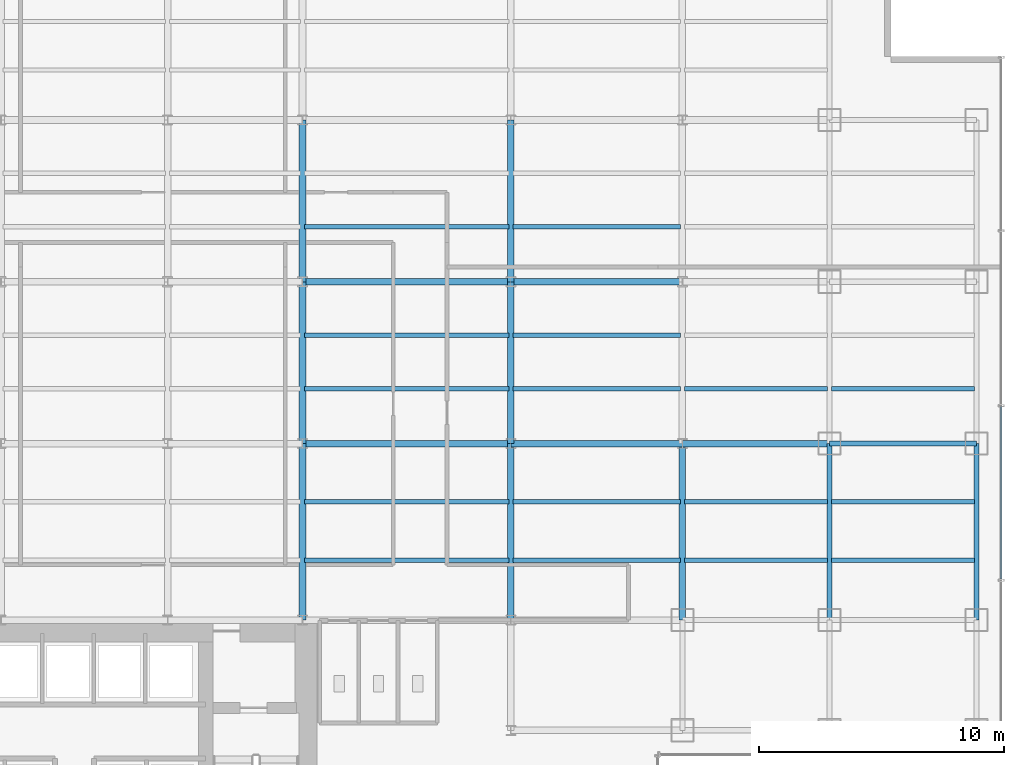
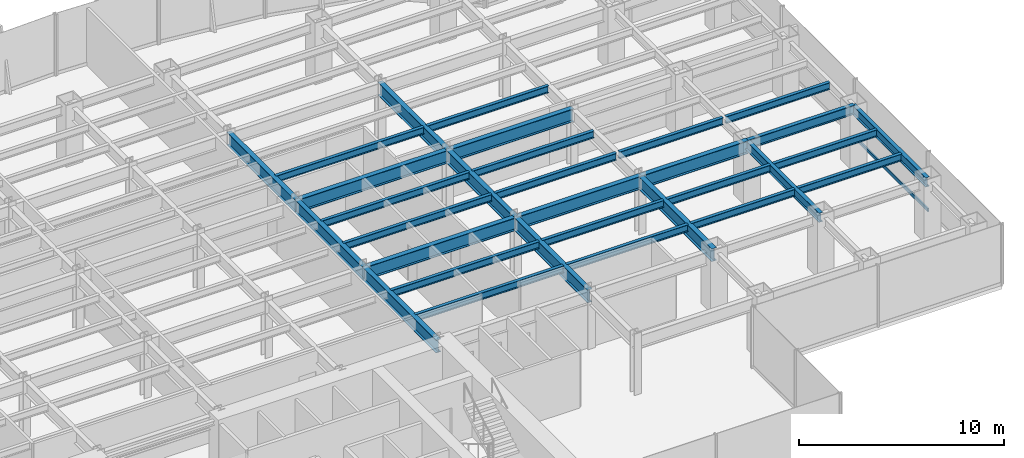
# One storey, part 8 of 22: 31 beams, 1 member, 1 element without a shape of its own.
"""IFC4 building model written with IfcOpenShell, lengths in metres."""

from ifc_helpers import new_model, si_unit, derived_unit, direction, frame, origin, origin_2d, place, context, subcontext, project, spatial, hollow_rectangle, i_section, extrude, source, transform, mapped, material, material_profile, profile_set, type_object, element, aggregate, save


model = new_model("IFC4")

# Units and contexts
model_context = context("Model", 3, precision=1e-05, world=origin(), true_north=direction((0.0, 1.0)))
body_context = subcontext(model_context, "Body", "Model", "MODEL_VIEW")
ifc_project = project(units=[si_unit("LENGTHUNIT", "METRE"), si_unit("AREAUNIT", "SQUARE_METRE"), si_unit("VOLUMEUNIT", "CUBIC_METRE"), si_unit("PLANEANGLEUNIT", "RADIAN"), si_unit("MASSUNIT", "GRAM", prefix="KILO"), derived_unit("THERMALTRANSMITTANCEUNIT", [(si_unit("POWERUNIT", "WATT"), 1), (si_unit("LENGTHUNIT", "METRE"), -2), (si_unit("THERMODYNAMICTEMPERATUREUNIT", "KELVIN"), -1)])], contexts=[model_context])

# Site, building, storey
site_placement = place(None, origin())
site = spatial("IfcSite", under=ifc_project, at=site_placement, CompositionType="ELEMENT")
building_placement = place(site_placement, origin())
building = spatial("IfcBuilding", under=site, at=building_placement, Name="Skarnbrae Concourse Arena and Tower", CompositionType="ELEMENT")
storey_placement = place(building_placement, frame((0.0, 0.0, 36.14990234375)))
storey = spatial("IfcBuildingStorey", under=building, at=storey_placement, Name="L07", CompositionType="ELEMENT", Elevation=36.14990234375)

# Beams
ifc_material_1 = material(Name="Steel CSA G40.21 350W", Category="steel")
ifc_material_profile_1 = material_profile(ifc_material_1, i_section(OverallWidth=0.26806640625, OverallDepth=0.77001953125, WebThickness=0.015625, FlangeThickness=0.025390625, at=origin_2d()), Name="W760X196")
ifc_profile_set_1 = profile_set([ifc_material_profile_1], Name="Steel CSA G40.21 350W")
beam_type_1 = type_object("IfcBeamType", Name="BM-GIRD-W760X196", PredefinedType="BEAM", material=ifc_profile_set_1)
shared_shape_1 = source(origin(), body_context, "Body", "SweptSolid", [
    extrude(i_section(OverallWidth=0.26806640625, OverallDepth=0.77001953125, WebThickness=0.015625, FlangeThickness=0.025390625, at=origin_2d()), origin(), (0.0, 0.0, 1.0), 7.0),
])
for number, where, z_axis, x_axis, name in (
    (1, (42.0, 21.199951171875, 3.01513671875), (1.0, 0.0, 0.0), (0.0, 1.0, 0.0), "L07 Primary E-W girder Y21.2-7"),
    (2, (42.0, 27.800048828125, 3.01513671875), (1.0, 0.0, 0.0), (0.0, 1.0, 0.0), "L07 Primary E-W girder Y27.8-7"),
):
    element("IfcBeam", number, at=place(storey_placement, frame(where, z_axis=z_axis, x_axis=x_axis)), inside=storey, type_object=beam_type_1, Name=name, PredefinedType="BEAM", context=body_context, shape_type="MappedRepresentation", body=[
        mapped(shared_shape_1, transform((0.0, 0.0, 0.0))),
    ])
ifc_material_profile_2 = material_profile(ifc_material_1, i_section(OverallWidth=0.214111328125, OverallDepth=0.549072265625, WebThickness=0.0146484375, FlangeThickness=0.023681640625, at=origin_2d()), Name="W530X138")
ifc_profile_set_2 = profile_set([ifc_material_profile_2], Name="Steel CSA G40.21 350W")
beam_type_2 = type_object("IfcBeamType", Name="BM-SPAN-W530X138", PredefinedType="SPANDREL", material=ifc_profile_set_2)
shared_shape_2 = source(origin(), body_context, "Body", "SweptSolid", [
    extrude(i_section(OverallWidth=0.214111328125, OverallDepth=0.549072265625, WebThickness=0.0146484375, FlangeThickness=0.023681640625, at=origin_2d()), origin(), (0.0, 0.0, 1.0), 6.0),
])
beam_1_placement = place(storey_placement, frame((55.0, 21.199951171875, 3.12548828125), z_axis=(1.0, 0.0, 0.0), x_axis=(0.0, 1.0, 0.0)))
element("IfcBeam", 3, at=beam_1_placement, inside=storey, type_object=beam_type_2, Name="L07 Perimeter spandrel Y21.2-9", PredefinedType="SPANDREL", context=body_context, shape_type="MappedRepresentation", body=[
    mapped(shared_shape_2, transform((0.0, 0.0, 0.0))),
])
shared_shape_3 = source(origin(), body_context, "Body", "SweptSolid", [
    extrude(i_section(OverallWidth=0.26806640625, OverallDepth=0.77001953125, WebThickness=0.015625, FlangeThickness=0.025390625, at=origin_2d()), origin(), (0.0, 0.0, 1.0), 6.60009765625),
])
for number, where, z_axis, x_axis, name in (
    (4, (33.5, 21.199951171875, 3.01513671875), (0.0, 1.0, 0.0), (-1.0, 0.0, 0.0), "L07 Primary N-S girder X33.5-2"),
    (5, (42.0, 21.199951171875, 3.01513671875), (0.0, 1.0, 0.0), (-1.0, 0.0, 0.0), "L07 Primary N-S girder X42.0-3"),
):
    element("IfcBeam", number, at=place(storey_placement, frame(where, z_axis=z_axis, x_axis=x_axis)), inside=storey, type_object=beam_type_1, Name=name, PredefinedType="BEAM", context=body_context, shape_type="MappedRepresentation", body=[
        mapped(shared_shape_3, transform((0.0, 0.0, 0.0))),
    ])
shared_shape_4 = source(origin(), body_context, "Body", "SweptSolid", [
    extrude(i_section(OverallWidth=0.26806640625, OverallDepth=0.77001953125, WebThickness=0.015625, FlangeThickness=0.025390625, at=origin_2d()), origin(), (0.0, 0.0, 1.0), 8.5),
])
for number, where, z_axis, x_axis, name in (
    (6, (33.5, 21.199951171875, 3.01513671875), (1.0, 0.0, 0.0), (0.0, 1.0, 0.0), "L07 Primary E-W girder Y21.2-6"),
    (7, (33.5, 27.800048828125, 3.01513671875), (1.0, 0.0, 0.0), (0.0, 1.0, 0.0), "L07 Primary E-W girder Y27.8-6"),
):
    element("IfcBeam", number, at=place(storey_placement, frame(where, z_axis=z_axis, x_axis=x_axis)), inside=storey, type_object=beam_type_1, Name=name, PredefinedType="BEAM", context=body_context, shape_type="MappedRepresentation", body=[
        mapped(shared_shape_4, transform((0.0, 0.0, 0.0))),
    ])
shared_shape_5 = source(origin(), body_context, "Body", "SweptSolid", [
    extrude(i_section(OverallWidth=0.26806640625, OverallDepth=0.77001953125, WebThickness=0.015625, FlangeThickness=0.025390625, at=origin_2d()), origin(), (0.0, 0.0, 1.0), 6.0),
])
beam_2_placement = place(storey_placement, frame((49.0, 21.199951171875, 3.01513671875), z_axis=(1.0, 0.0, 0.0), x_axis=(0.0, 1.0, 0.0)))
element("IfcBeam", 8, at=beam_2_placement, inside=storey, type_object=beam_type_1, Name="L07 Primary E-W girder Y21.2-8", PredefinedType="BEAM", context=body_context, shape_type="MappedRepresentation", body=[
    mapped(shared_shape_5, transform((0.0, 0.0, 0.0))),
])
shared_shape_6 = source(origin(), body_context, "Body", "SweptSolid", [
    extrude(i_section(OverallWidth=0.214111328125, OverallDepth=0.549072265625, WebThickness=0.0146484375, FlangeThickness=0.023681640625, at=origin_2d()), origin(), (0.0, 0.0, 1.0), 7.199951171875),
])
for number, where, z_axis, x_axis, name in (
    (9, (55.0, 14.0, 3.12548828125), (0.0, 1.0, 0.0), (-1.0, 0.0, 0.0), "L07 Perimeter spandrel X55.0-2"),
    (10, (61.0, 14.0, 3.12548828125), (0.0, 1.0, 0.0), (-1.0, 0.0, 0.0), "L07 Perimeter spandrel X61.0-2"),
):
    element("IfcBeam", number, at=place(storey_placement, frame(where, z_axis=z_axis, x_axis=x_axis)), inside=storey, type_object=beam_type_2, Name=name, PredefinedType="SPANDREL", context=body_context, shape_type="MappedRepresentation", body=[
        mapped(shared_shape_6, transform((0.0, 0.0, 0.0))),
    ])
shared_shape_7 = source(origin(), body_context, "Body", "SweptSolid", [
    extrude(i_section(OverallWidth=0.26806640625, OverallDepth=0.77001953125, WebThickness=0.015625, FlangeThickness=0.025390625, at=origin_2d()), origin(), (0.0, 0.0, 1.0), 7.199951171875),
])
for number, where, z_axis, x_axis, name in (
    (11, (33.5, 14.0, 3.01513671875), (0.0, 1.0, 0.0), (-1.0, 0.0, 0.0), "L07 Primary N-S girder X33.5-1"),
    (12, (42.0, 14.0, 3.01513671875), (0.0, 1.0, 0.0), (-1.0, 0.0, 0.0), "L07 Primary N-S girder X42.0-2"),
    (13, (49.0, 14.0, 3.01513671875), (0.0, 1.0, 0.0), (-1.0, 0.0, 0.0), "L07 Primary N-S girder X49.0-2"),
):
    element("IfcBeam", number, at=place(storey_placement, frame(where, z_axis=z_axis, x_axis=x_axis)), inside=storey, type_object=beam_type_1, Name=name, PredefinedType="BEAM", context=body_context, shape_type="MappedRepresentation", body=[
        mapped(shared_shape_7, transform((0.0, 0.0, 0.0))),
    ])
shared_shape_8 = source(origin(), body_context, "Body", "SweptSolid", [
    extrude(i_section(OverallWidth=0.26806640625, OverallDepth=0.77001953125, WebThickness=0.015625, FlangeThickness=0.025390625, at=origin_2d()), origin(), (0.0, 0.0, 1.0), 6.599853515625),
])
for number, where, z_axis, x_axis, name in (
    (14, (33.5, 27.800048828125, 3.01513671875), (0.0, 1.0, 0.0), (-1.0, 0.0, 0.0), "L07 Primary N-S girder X33.5-3"),
    (15, (42.0, 27.800048828125, 3.01513671875), (0.0, 1.0, 0.0), (-1.0, 0.0, 0.0), "L07 Primary N-S girder X42.0-4"),
):
    element("IfcBeam", number, at=place(storey_placement, frame(where, z_axis=z_axis, x_axis=x_axis)), inside=storey, type_object=beam_type_1, Name=name, PredefinedType="BEAM", context=body_context, shape_type="MappedRepresentation", body=[
        mapped(shared_shape_8, transform((0.0, 0.0, 0.0))),
    ])
ifc_material_profile_3 = material_profile(ifc_material_1, i_section(OverallWidth=0.180908203125, OverallDepth=0.4169921875, WebThickness=0.010986328125, FlangeThickness=0.018310546875, at=origin_2d()), Name="W410X85")
ifc_profile_set_3 = profile_set([ifc_material_profile_3], Name="Steel CSA G40.21 350W")
beam_type_3 = type_object("IfcBeamType", Name="BM-JOIST-W410X85", PredefinedType="JOIST", material=ifc_profile_set_3)
shared_shape_9 = source(origin(), body_context, "Body", "SweptSolid", [
    extrude(i_section(OverallWidth=0.180908203125, OverallDepth=0.4169921875, WebThickness=0.010986328125, FlangeThickness=0.018310546875, at=origin_2d()), origin(), (0.0, 0.0, 1.0), 8.33984375),
])
for number, where, z_axis, x_axis, name in (
    (16, (33.580078125, 16.447998046875, 3.191650390625), (1.0, 0.0, 0.0), (0.0, 1.0, 0.0), "L07 Secondary floor joist 1.1.6"),
    (17, (33.580078125, 18.823974609375, 3.191650390625), (1.0, 0.0, 0.0), (0.0, 1.0, 0.0), "L07 Secondary floor joist 1.2.6"),
    (18, (33.580078125, 23.444091796875, 3.191650390625), (1.0, 0.0, 0.0), (0.0, 1.0, 0.0), "L07 Secondary floor joist 2.1.6"),
    (19, (33.580078125, 25.6220703125, 3.191650390625), (1.0, 0.0, 0.0), (0.0, 1.0, 0.0), "L07 Secondary floor joist 2.2.6"),
    (20, (33.580078125, 30.0439453125, 3.191650390625), (1.0, 0.0, 0.0), (0.0, 1.0, 0.0), "L07 Secondary floor joist 3.1.6"),
):
    element("IfcBeam", number, at=place(storey_placement, frame(where, z_axis=z_axis, x_axis=x_axis)), inside=storey, type_object=beam_type_3, Name=name, PredefinedType="JOIST", context=body_context, shape_type="MappedRepresentation", body=[
        mapped(shared_shape_9, transform((0.0, 0.0, 0.0))),
    ])
shared_shape_10 = source(origin(), body_context, "Body", "SweptSolid", [
    extrude(i_section(OverallWidth=0.180908203125, OverallDepth=0.4169921875, WebThickness=0.010986328125, FlangeThickness=0.018310546875, at=origin_2d()), origin(), (0.0, 0.0, 1.0), 6.83984375),
])
for number, where, z_axis, x_axis, name in (
    (21, (42.080078125, 16.447998046875, 3.191650390625), (1.0, 0.0, 0.0), (0.0, 1.0, 0.0), "L07 Secondary floor joist 1.1.7"),
    (22, (42.080078125, 18.823974609375, 3.191650390625), (1.0, 0.0, 0.0), (0.0, 1.0, 0.0), "L07 Secondary floor joist 1.2.7"),
    (23, (42.080078125, 23.444091796875, 3.191650390625), (1.0, 0.0, 0.0), (0.0, 1.0, 0.0), "L07 Secondary floor joist 2.1.7"),
    (24, (42.080078125, 25.6220703125, 3.191650390625), (1.0, 0.0, 0.0), (0.0, 1.0, 0.0), "L07 Secondary floor joist 2.2.7"),
    (25, (42.080078125, 30.0439453125, 3.191650390625), (1.0, 0.0, 0.0), (0.0, 1.0, 0.0), "L07 Secondary floor joist 3.1.7"),
):
    element("IfcBeam", number, at=place(storey_placement, frame(where, z_axis=z_axis, x_axis=x_axis)), inside=storey, type_object=beam_type_3, Name=name, PredefinedType="JOIST", context=body_context, shape_type="MappedRepresentation", body=[
        mapped(shared_shape_10, transform((0.0, 0.0, 0.0))),
    ])
shared_shape_11 = source(origin(), body_context, "Body", "SweptSolid", [
    extrude(i_section(OverallWidth=0.180908203125, OverallDepth=0.4169921875, WebThickness=0.010986328125, FlangeThickness=0.018310546875, at=origin_2d()), origin(), (0.0, 0.0, 1.0), 5.83984375),
])
for number, where, z_axis, x_axis, name in (
    (26, (49.080078125, 16.447998046875, 3.191650390625), (1.0, 0.0, 0.0), (0.0, 1.0, 0.0), "L07 Secondary floor joist 1.1.8"),
    (27, (55.080078125, 16.447998046875, 3.191650390625), (1.0, 0.0, 0.0), (0.0, 1.0, 0.0), "L07 Secondary floor joist 1.1.9"),
    (28, (49.080078125, 18.823974609375, 3.191650390625), (1.0, 0.0, 0.0), (0.0, 1.0, 0.0), "L07 Secondary floor joist 1.2.8"),
    (29, (55.080078125, 18.823974609375, 3.191650390625), (1.0, 0.0, 0.0), (0.0, 1.0, 0.0), "L07 Secondary floor joist 1.2.9"),
    (30, (49.080078125, 23.444091796875, 3.191650390625), (1.0, 0.0, 0.0), (0.0, 1.0, 0.0), "L07 Secondary floor joist 2.1.8"),
    (31, (55.080078125, 23.444091796875, 3.191650390625), (1.0, 0.0, 0.0), (0.0, 1.0, 0.0), "L07 Secondary floor joist 2.1.9"),
):
    element("IfcBeam", number, at=place(storey_placement, frame(where, z_axis=z_axis, x_axis=x_axis)), inside=storey, type_object=beam_type_3, Name=name, PredefinedType="JOIST", context=body_context, shape_type="MappedRepresentation", body=[
        mapped(shared_shape_11, transform((0.0, 0.0, 0.0))),
    ])

# Curtain wall, member
ifc_material_2 = material(Name="Bronze anodised aluminium 6063-T6", Category="aluminium")
curtain_wall_type = type_object("IfcCurtainWallType", Name="CW-SYS-02-LOWZONE", PredefinedType="USERDEFINED", material=ifc_material_2)
curtain_wall_placement = place(storey_placement, origin())
curtain_wall = element("IfcCurtainWall", 32, at=curtain_wall_placement, inside=storey, type_object=curtain_wall_type, Name="L07 Unitised curtain wall CW-L07-E04", ObjectType="UNITISED CURTAIN WALL", PredefinedType="USERDEFINED")
ifc_material_profile_4 = material_profile(ifc_material_2, hollow_rectangle(XDim=0.080078125, YDim=0.18994140625, WallThickness=0.0048828125, at=origin_2d()), Name="ALU-TRAN-80X190")
ifc_profile_set_4 = profile_set([ifc_material_profile_4], Name="Bronze anodised aluminium 6063-T6")
member_type = type_object("IfcMemberType", Name="CWT-CW-02", PredefinedType="USERDEFINED", material=ifc_profile_set_4)
shared_shape_12 = source(origin(), body_context, "Body", "SweptSolid", [
    extrude(hollow_rectangle(XDim=0.080078125, YDim=0.18994140625, WallThickness=0.0048828125, at=origin_2d()), origin(), (0.0, 0.0, 1.0), 7.044921875),
])
member_placement = place(storey_placement, frame((62.0, 15.6650390625, 0.09521484375), z_axis=(0.0, 1.0, 0.0), x_axis=(-1.0, 0.0, 0.0)))
member = element("IfcMember", 33, at=member_placement, type_object=member_type, Name="CW-L07-E04 Transom 2", ObjectType="TRANSOM", PredefinedType="USERDEFINED", context=body_context, shape_type="MappedRepresentation", body=[
    mapped(shared_shape_12, transform((0.0, 0.0, 0.0))),
])
aggregate(curtain_wall, [member])

save(model, "model.ifc")
